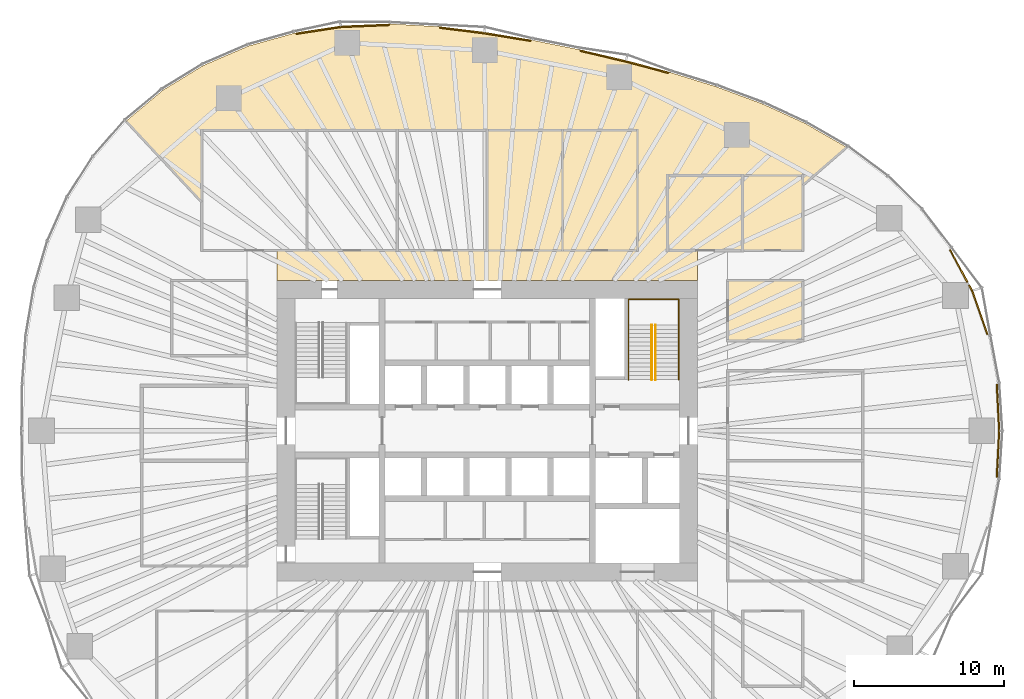
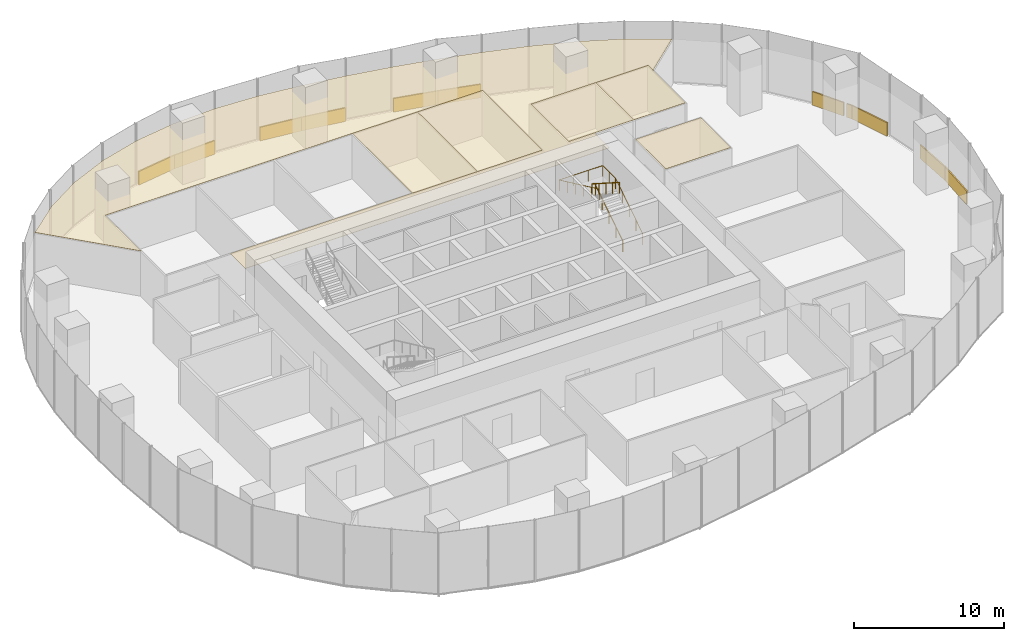
# One storey, part 20 of 20: 17 coverings, 3 railings.
"""IFC4 building model written with IfcOpenShell, lengths in metres."""

from ifc_helpers import new_model, si_unit, direction, frame, origin, origin_2d, place, context, subcontext, project, spatial, polyline, rectangle, circle, outline, extrude, material, layer, layer_set, type_object, element, save


model = new_model("IFC4")

# Units and contexts
model_context = context("Model", 3, precision=1e-05, world=origin(), true_north=direction((0.0, 1.0)))
body_context = subcontext(model_context, "Body", "Model", "MODEL_VIEW")
ifc_project = project(units=[si_unit("LENGTHUNIT", "METRE"), si_unit("AREAUNIT", "SQUARE_METRE"), si_unit("VOLUMEUNIT", "CUBIC_METRE"), si_unit("PLANEANGLEUNIT", "RADIAN"), si_unit("MASSUNIT", "GRAM", prefix="KILO")], contexts=[model_context])

# Site, building, storey
site_placement = place(None, origin())
site = spatial("IfcSite", under=ifc_project, at=site_placement, CompositionType="ELEMENT")
building_placement = place(site_placement, origin())
building = spatial("IfcBuilding", under=site, at=building_placement, Name="Ghaith Harvest Tower", CompositionType="ELEMENT")
storey_placement = place(building_placement, frame((0.0, 0.0, 90.0)))
storey = spatial("IfcBuildingStorey", under=building, at=storey_placement, Name="L18", CompositionType="ELEMENT", Elevation=90.0)

# Coverings
ifc_material_1 = material(Name="Mineral fibre ceiling tile", Category="gypsum")
ifc_layer_1 = layer(ifc_material_1, 0.02490234375)
ifc_layer_set_1 = layer_set([ifc_layer_1], Name="CEILING C2")
covering_type_1 = type_object("IfcCoveringType", Name="CEILING C2", PredefinedType="CEILING", material=ifc_layer_set_1)
covering_1_placement = place(storey_placement, frame((0.0, 0.0, 3.60009765625)))
element("IfcCovering", 1, at=covering_1_placement, inside=storey, type_object=covering_type_1, Name="Ceiling L18-11", PredefinedType="CEILING", context=body_context, shape_type="SweptSolid", body=[
    extrude(outline(polyline([(0.0, 12.0), (5.0, 12.0), (5.0, 20.0), (0.0, 20.0), (0.0, 12.0)])), origin(), (0.0, 0.0, 1.0), 0.02490234375),
])
covering_2_placement = place(storey_placement, frame((0.0, 0.0, 3.60009765625)))
element("IfcCovering", 2, at=covering_2_placement, inside=storey, type_object=covering_type_1, Name="Ceiling L18-12", PredefinedType="CEILING", context=body_context, shape_type="SweptSolid", body=[
    extrude(outline(polyline([(5.0, 12.0), (10.0, 12.0), (10.0, 20.0), (5.0, 20.0), (5.0, 12.0)])), origin(), (0.0, 0.0, 1.0), 0.02490234375),
])
covering_3_placement = place(storey_placement, frame((0.0, 0.0, 3.60009765625)))
element("IfcCovering", 3, at=covering_3_placement, inside=storey, type_object=covering_type_1, Name="Ceiling L18-15", PredefinedType="CEILING", context=body_context, shape_type="SweptSolid", body=[
    extrude(outline(polyline([(12.0, 12.0), (17.0, 12.0), (17.0, 17.0), (12.0, 17.0), (12.0, 12.0)])), origin(), (0.0, 0.0, 1.0), 0.02490234375),
])
covering_4_placement = place(storey_placement, frame((0.0, 0.0, 3.60009765625)))
element("IfcCovering", 4, at=covering_4_placement, inside=storey, type_object=covering_type_1, Name="Ceiling L18-16", PredefinedType="CEILING", context=body_context, shape_type="SweptSolid", body=[
    extrude(outline(polyline([(17.0, 12.0), (21.0, 12.0), (21.0, 17.0), (17.0, 17.0), (17.0, 12.0)])), origin(), (0.0, 0.0, 1.0), 0.02490234375),
])
covering_5_placement = place(storey_placement, frame((0.0, 0.0, 3.60009765625)))
element("IfcCovering", 5, at=covering_5_placement, inside=storey, type_object=covering_type_1, Name="Ceiling L18-18", PredefinedType="CEILING", context=body_context, shape_type="SweptSolid", body=[
    extrude(outline(polyline([(16.0, 6.0), (21.0, 6.0), (21.0, 10.0), (16.0, 10.0), (16.0, 6.0)])), origin(), (0.0, 0.0, 1.0), 0.02490234375),
])
covering_6_placement = place(storey_placement, frame((0.0, 0.0, 3.60009765625)))
element("IfcCovering", 6, at=covering_6_placement, inside=storey, type_object=covering_type_1, Name="Ceiling L18-N1", PredefinedType="CEILING", context=body_context, shape_type="SweptSolid", body=[
    extrude(outline(polyline([(-21.59912109375, 22.671142578125), (-18.8935546875, 24.32763671875), (-15.907958984375, 25.614501953125), (-12.828125, 26.476806640625), (-9.733642578125, 26.949951171875), (-6.4375, 27.0849609375), (-3.24755859375, 26.91064453125), (-0.181396484375, 26.527099609375), (2.99560546875, 26.004150390625), (6.10888671875, 25.378662109375), (9.21533203125, 24.65087890625), (12.1796875, 23.857666015625), (15.22119140625, 22.916259765625), (18.34521484375, 21.7548828125), (21.149169921875, 20.469482421875), (23.92431640625, 18.873046875), (21.0, 16.336669921875), (21.0, 17.0), (12.0, 17.0), (12.0, 12.0), (14.0, 12.0), (14.0, 10.0), (-14.0, 10.0), (-14.0, 12.0), (10.0, 12.0), (10.0, 20.0), (-19.0, 20.0), (-19.0, 15.21240234375), (-24.04833984375, 20.618408203125), (-21.59912109375, 22.671142578125)])), origin(), (0.0, 0.0, 1.0), 0.02490234375),
])

# Railings
ifc_material_2 = material(Name="Steel, black powder-coated", Category="steel")
railing_type = type_object("IfcRailingType", Name="HANDRAIL HR1", PredefinedType="HANDRAIL", material=ifc_material_2)
railing_1_placement = place(storey_placement, frame((11.199951171875, 3.39990234375, 0.178466796875)))
element("IfcRailing", 7, at=railing_1_placement, inside=storey, type_object=railing_type, Name="Handrail HR1 stair ST2 L18 flight 1 inner", PredefinedType="HANDRAIL", context=body_context, shape_type="SweptSolid", body=[
    extrude(circle(Radius=0.02392578125, at=origin_2d()), frame((0.0, 0.0, 0.8759765625), z_axis=(0.0, 0.843127859045, 0.537713132908), x_axis=(-1.0, 0.0, 0.0)), (0.0, 0.0, 1.0), 4.3173828125),
    extrude(circle(Radius=0.02099609375, at=origin_2d()), origin(), (0.0, 0.0, 1.0), 0.851806640625),
    extrude(circle(Radius=0.02099609375, at=origin_2d()), frame((0.0, 0.91015625, 0.580322265625)), (0.0, 0.0, 1.0), 0.851806640625),
    extrude(circle(Radius=0.02099609375, at=origin_2d()), frame((0.0, 1.820068359375, 1.16064453125)), (0.0, 0.0, 1.0), 0.851806640625),
    extrude(circle(Radius=0.02099609375, at=origin_2d()), frame((0.0, 2.72998046875, 1.7412109375)), (0.0, 0.0, 1.0), 0.851806640625),
    extrude(circle(Radius=0.02099609375, at=origin_2d()), frame((0.0, 3.64013671875, 2.321533203125)), (0.0, 0.0, 1.0), 0.851806640625),
])
railing_2_placement = place(storey_placement, frame((10.949951171875, 7.0400390625, 2.678466796875)))
element("IfcRailing", 8, at=railing_2_placement, inside=storey, type_object=railing_type, Name="Handrail HR1 stair ST2 L18 flight 2 inner", PredefinedType="HANDRAIL", context=body_context, shape_type="SweptSolid", body=[
    extrude(circle(Radius=0.02392578125, at=origin_2d()), frame((0.0, 0.0, 0.8759765625), z_axis=(0.0, -0.843127859045, 0.537713132908), x_axis=(1.0, 0.0, 0.0)), (0.0, 0.0, 1.0), 4.3173828125),
    extrude(circle(Radius=0.02099609375, at=origin_2d()), origin(), (0.0, 0.0, 1.0), 0.851806640625),
    extrude(circle(Radius=0.02099609375, at=origin_2d()), frame((0.0, -0.91015625, 0.580322265625)), (0.0, 0.0, 1.0), 0.851806640625),
    extrude(circle(Radius=0.02099609375, at=origin_2d()), frame((0.0, -1.820068359375, 1.16064453125)), (0.0, 0.0, 1.0), 0.851806640625),
    extrude(circle(Radius=0.02099609375, at=origin_2d()), frame((0.0, -2.72998046875, 1.7412109375)), (0.0, 0.0, 1.0), 0.851806640625),
    extrude(circle(Radius=0.02099609375, at=origin_2d()), frame((0.0, -3.64013671875, 2.321533203125)), (0.0, 0.0, 1.0), 0.851806640625),
])
railing_3_placement = place(storey_placement, frame((12.75, 3.39990234375, 0.178466796875)))
element("IfcRailing", 9, at=railing_3_placement, inside=storey, type_object=railing_type, Name="Handrail HR1 stair ST2 L18 wall side", PredefinedType="HANDRAIL", context=body_context, shape_type="SweptSolid", body=[
    extrude(circle(Radius=0.02392578125, at=origin_2d()), frame((0.0, 0.0, 0.8759765625), z_axis=(0.0, 0.843127859045, 0.537713132908), x_axis=(-1.0, 0.0, 0.0)), (0.0, 0.0, 1.0), 4.3173828125),
    extrude(circle(Radius=0.02392578125, at=origin_2d()), frame((0.0, 3.64013671875, 3.197265625), z_axis=(0.0, 1.0, 0.0), x_axis=(-1.0, 0.0, 0.0)), (0.0, 0.0, 1.0), 1.7099609375),
    extrude(circle(Radius=0.02392578125, at=origin_2d()), frame((0.0, 5.35009765625, 3.197265625), z_axis=(-1.0, 0.0, 0.0), x_axis=(0.0, -1.0, 0.0)), (0.0, 0.0, 1.0), 3.35009765625),
    extrude(circle(Radius=0.02392578125, at=origin_2d()), frame((-3.35009765625, 5.35009765625, 3.197265625), z_axis=(0.0, -0.905969675553, 0.423342588193), x_axis=(1.0, 0.0, 0.0)), (0.0, 0.0, 1.0), 5.9052734375),
    extrude(circle(Radius=0.02099609375, at=origin_2d()), origin(), (0.0, 0.0, 1.0), 0.851806640625),
    extrude(circle(Radius=0.02099609375, at=origin_2d()), frame((0.0, 0.91015625, 0.580322265625)), (0.0, 0.0, 1.0), 0.851806640625),
    extrude(circle(Radius=0.02099609375, at=origin_2d()), frame((0.0, 1.820068359375, 1.16064453125)), (0.0, 0.0, 1.0), 0.851806640625),
    extrude(circle(Radius=0.02099609375, at=origin_2d()), frame((0.0, 2.72998046875, 1.7412109375)), (0.0, 0.0, 1.0), 0.851806640625),
    extrude(circle(Radius=0.02099609375, at=origin_2d()), frame((0.0, 3.64013671875, 2.321533203125)), (0.0, 0.0, 1.0), 0.851806640625),
    extrude(circle(Radius=0.02099609375, at=origin_2d()), frame((0.0, 4.4951171875, 2.321533203125)), (0.0, 0.0, 1.0), 0.851806640625),
    extrude(circle(Radius=0.02099609375, at=origin_2d()), frame((0.0, 5.35009765625, 2.321533203125)), (0.0, 0.0, 1.0), 0.851806640625),
    extrude(circle(Radius=0.02099609375, at=origin_2d()), frame((-1.11669921875, 5.35009765625, 2.321533203125)), (0.0, 0.0, 1.0), 0.851806640625),
    extrude(circle(Radius=0.02099609375, at=origin_2d()), frame((-2.2333984375, 5.35009765625, 2.321533203125)), (0.0, 0.0, 1.0), 0.851806640625),
    extrude(circle(Radius=0.02099609375, at=origin_2d()), frame((-3.35009765625, 5.35009765625, 2.321533203125)), (0.0, 0.0, 1.0), 0.851806640625),
    extrude(circle(Radius=0.02099609375, at=origin_2d()), frame((-3.35009765625, 4.280029296875, 2.821533203125)), (0.0, 0.0, 1.0), 0.851806640625),
    extrude(circle(Radius=0.02099609375, at=origin_2d()), frame((-3.35009765625, 3.2099609375, 3.321533203125)), (0.0, 0.0, 1.0), 0.851806640625),
    extrude(circle(Radius=0.02099609375, at=origin_2d()), frame((-3.35009765625, 2.14013671875, 3.821533203125)), (0.0, 0.0, 1.0), 0.851806640625),
    extrude(circle(Radius=0.02099609375, at=origin_2d()), frame((-3.35009765625, 1.070068359375, 4.321533203125)), (0.0, 0.0, 1.0), 0.851806640625),
    extrude(circle(Radius=0.02099609375, at=origin_2d()), frame((-3.35009765625, 0.0, 4.821533203125)), (0.0, 0.0, 1.0), 0.851806640625),
])

# Coverings
ifc_material_3 = material(Name="Insulated aluminium spandrel panel on steel framing", Category="steel")
ifc_layer_2 = layer(ifc_material_3, 0.10009765625)
ifc_layer_set_2 = layer_set([ifc_layer_2], Name="SLAB EDGE UPSTAND 1100x100")
covering_type_2 = type_object("IfcCoveringType", Name="SLAB EDGE UPSTAND 1100x100", PredefinedType="CLADDING", material=ifc_layer_set_2)
covering_7_placement = place(storey_placement, frame((33.994384765625, 1.54443359375, 0.0), z_axis=(0.0, 0.0, 1.0), x_axis=(-0.052048501689, 0.998644558125, 0.0)))
element("IfcCovering", 10, at=covering_7_placement, inside=storey, type_object=covering_type_2, Name="Slab edge upstand 1 bay 01 L18", PredefinedType="CLADDING", context=body_context, shape_type="SweptSolid", body=[
    extrude(rectangle(XDim=3.098388671875, YDim=0.10009765625, at=origin_2d()), origin(), (0.0, 0.0, 1.0), 1.10009765625),
])
covering_8_placement = place(storey_placement, frame((32.78125, 7.867919921875, 0.0), z_axis=(0.0, 0.0, 1.0), x_axis=(-0.330597697022, 0.943771774702, 0.0)))
element("IfcCovering", 11, at=covering_8_placement, inside=storey, type_object=covering_type_2, Name="Slab edge upstand 3 bay 01 L18", PredefinedType="CLADDING", context=body_context, shape_type="SweptSolid", body=[
    extrude(rectangle(XDim=3.0859375, YDim=0.10009765625, at=origin_2d()), origin(), (0.0, 0.0, 1.0), 1.10009765625),
])
covering_9_placement = place(storey_placement, frame((32.172119140625, 9.505615234375, 0.0), z_axis=(0.0, 0.0, 1.0), x_axis=(-0.476349292539, 0.87925613532, 0.0)))
element("IfcCovering", 12, at=covering_9_placement, inside=storey, type_object=covering_type_2, Name="Slab edge upstand 1 bay 02 L18", PredefinedType="CLADDING", context=body_context, shape_type="SweptSolid", body=[
    extrude(rectangle(XDim=0.42919921875, YDim=0.10009765625, at=origin_2d()), origin(), (0.0, 0.0, 1.0), 1.10009765625),
])
covering_10_placement = place(storey_placement, frame((31.3759765625, 10.9755859375, 0.0), z_axis=(0.0, 0.0, 1.0), x_axis=(-0.476349292539, 0.87925613532, 0.0)))
element("IfcCovering", 13, at=covering_10_placement, inside=storey, type_object=covering_type_2, Name="Slab edge upstand 1 bay 02 L18", PredefinedType="CLADDING", context=body_context, shape_type="SweptSolid", body=[
    extrude(rectangle(XDim=2.46484375, YDim=0.10009765625, at=origin_2d()), origin(), (0.0, 0.0, 1.0), 1.10009765625),
])
covering_11_placement = place(storey_placement, frame((10.63623046875, 24.218994140625, 0.0), z_axis=(0.0, 0.0, 1.0), x_axis=(-0.9660243418, 0.258451099919, 0.0)))
element("IfcCovering", 14, at=covering_11_placement, inside=storey, type_object=covering_type_2, Name="Slab edge upstand 3 bay 04 L18", PredefinedType="CLADDING", context=body_context, shape_type="SweptSolid", body=[
    extrude(rectangle(XDim=2.968505859375, YDim=0.10009765625, at=origin_2d()), origin(), (0.0, 0.0, 1.0), 1.10009765625),
])
covering_12_placement = place(storey_placement, frame((7.699462890625, 24.95458984375, 0.0), z_axis=(0.0, 0.0, 1.0), x_axis=(-0.973634089594, 0.228115452305, 0.0)))
element("IfcCovering", 15, at=covering_12_placement, inside=storey, type_object=covering_type_2, Name="Slab edge upstand 1 bay 05 L18", PredefinedType="CLADDING", context=body_context, shape_type="SweptSolid", body=[
    extrude(rectangle(XDim=3.090576171875, YDim=0.10009765625, at=origin_2d()), origin(), (0.0, 0.0, 1.0), 1.10009765625),
])
covering_13_placement = place(storey_placement, frame((1.349609375, 26.224365234375, 0.0), z_axis=(0.0, 0.0, 1.0), x_axis=(-0.986716247541, 0.162453214305, 0.0)))
element("IfcCovering", 16, at=covering_13_placement, inside=storey, type_object=covering_type_2, Name="Slab edge upstand 3 bay 05 L18", PredefinedType="CLADDING", context=body_context, shape_type="SweptSolid", body=[
    extrude(rectangle(XDim=3.119873046875, YDim=0.10009765625, at=origin_2d()), origin(), (0.0, 0.0, 1.0), 1.10009765625),
])
covering_14_placement = place(storey_placement, frame((-1.671142578125, 26.6630859375, 0.0), z_axis=(0.0, 0.0, 1.0), x_axis=(-0.99226486887, 0.124138753038, 0.0)))
element("IfcCovering", 17, at=covering_14_placement, inside=storey, type_object=covering_type_2, Name="Slab edge upstand 1 bay 06 L18", PredefinedType="CLADDING", context=body_context, shape_type="SweptSolid", body=[
    extrude(rectangle(XDim=2.98974609375, YDim=0.10009765625, at=origin_2d()), origin(), (0.0, 0.0, 1.0), 1.10009765625),
])
covering_15_placement = place(storey_placement, frame((-8.133544921875, 26.965576171875, 0.0), z_axis=(0.0, 0.0, 1.0), x_axis=(-0.999160890982, -0.040957464901, 0.0)))
element("IfcCovering", 18, at=covering_15_placement, inside=storey, type_object=covering_type_2, Name="Slab edge upstand 3 bay 06 L18", PredefinedType="CLADDING", context=body_context, shape_type="SweptSolid", body=[
    extrude(rectangle(XDim=3.198974609375, YDim=0.10009765625, at=origin_2d()), origin(), (0.0, 0.0, 1.0), 1.10009765625),
])
covering_16_placement = place(storey_placement, frame((-11.22412109375, 26.67138671875, 0.0), z_axis=(0.0, 0.0, 1.0), x_axis=(-0.988517924816, -0.1511036476, 0.0)))
element("IfcCovering", 19, at=covering_16_placement, inside=storey, type_object=covering_type_2, Name="Slab edge upstand 1 bay 07 L18", PredefinedType="CLADDING", context=body_context, shape_type="SweptSolid", body=[
    extrude(rectangle(XDim=3.030517578125, YDim=0.10009765625, at=origin_2d()), origin(), (0.0, 0.0, 1.0), 1.10009765625),
])
covering_17_placement = place(storey_placement, frame((33.994384765625, -1.54443359375, 0.0), z_axis=(0.0, 0.0, 1.0), x_axis=(0.052048501794, 0.998644558119, 0.0)))
element("IfcCovering", 20, at=covering_17_placement, inside=storey, type_object=covering_type_2, Name="Slab edge upstand 3 bay 20 L18", PredefinedType="CLADDING", context=body_context, shape_type="SweptSolid", body=[
    extrude(rectangle(XDim=3.098388671875, YDim=0.10009765625, at=origin_2d()), origin(), (0.0, 0.0, 1.0), 1.10009765625),
])

save(model, "model.ifc")
